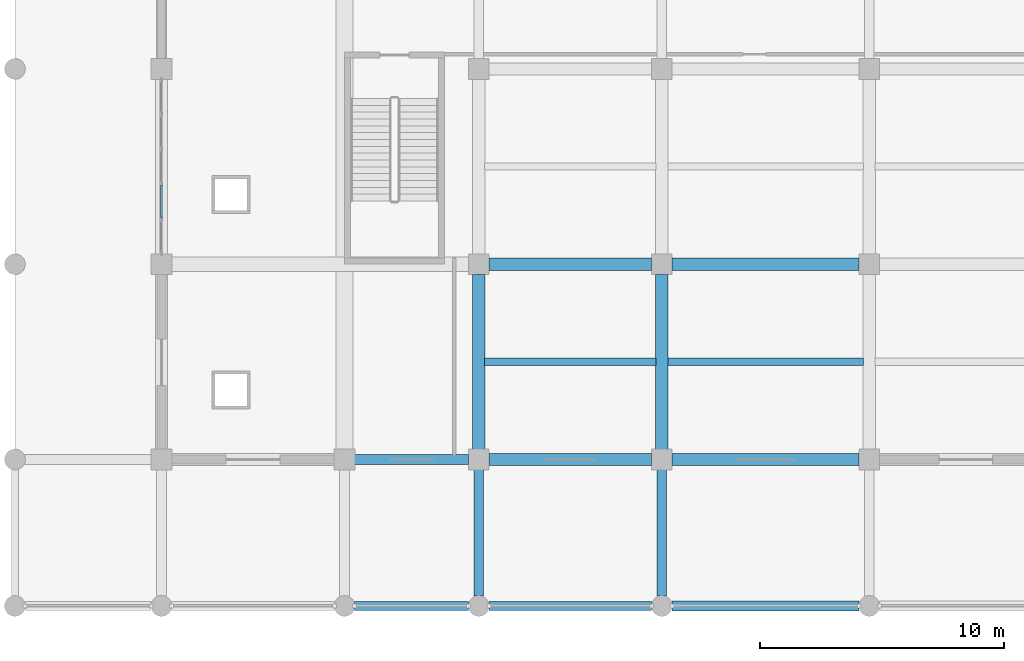
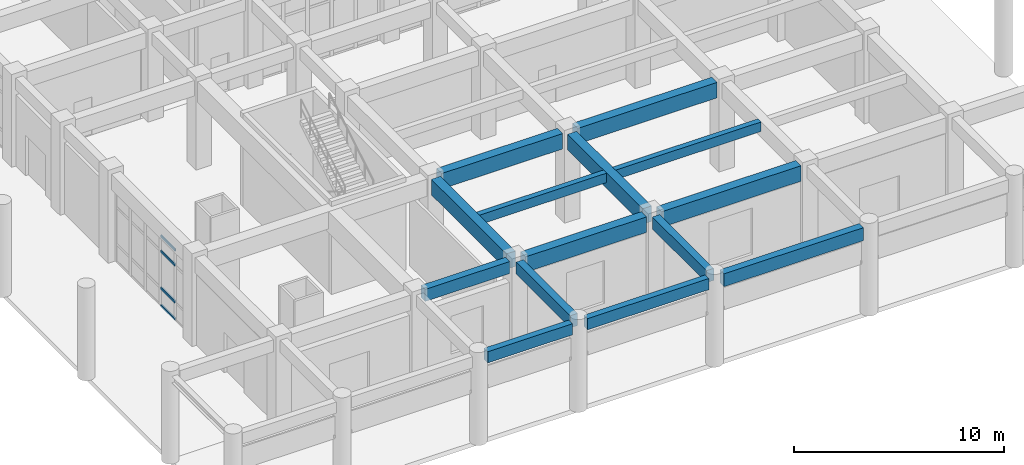
# One storey, part 4 of 84: 14 beams, 4 members, 1 element without a shape of its own.
"""IFC4 building model written with IfcOpenShell, lengths in metres."""

from ifc_helpers import new_model, si_unit, direction, frame, origin, origin_2d, place, context, subcontext, project, spatial, rectangle, hollow_rectangle, extrude, material, layer, layer_set, material_profile, profile_set, type_object, element, aggregate, save


model = new_model("IFC4")

# Units and contexts
model_context = context("Model", 3, precision=1e-05, world=origin(), true_north=direction((0.0, 1.0)))
body_context = subcontext(model_context, "Body", "Model", "MODEL_VIEW")
ifc_project = project(units=[si_unit("LENGTHUNIT", "METRE"), si_unit("AREAUNIT", "SQUARE_METRE"), si_unit("VOLUMEUNIT", "CUBIC_METRE"), si_unit("PLANEANGLEUNIT", "RADIAN"), si_unit("MASSUNIT", "GRAM", prefix="KILO")], contexts=[model_context])

# Site, building, storey
site_placement = place(None, origin())
site = spatial("IfcSite", under=ifc_project, at=site_placement, CompositionType="ELEMENT")
building_placement = place(site_placement, origin())
building = spatial("IfcBuilding", under=site, at=building_placement, Name="Muzn Square Opera House", CompositionType="ELEMENT")
storey_placement = place(building_placement, origin())
storey = spatial("IfcBuildingStorey", under=building, at=storey_placement, Name="L00", CompositionType="ELEMENT", Elevation=0.0)

# Curtain wall, members
ifc_material_1 = material(Name="Low-E laminated acoustic double glazing", Category="glass")
ifc_layer = layer(ifc_material_1, 0.159912109375, Name="Low-E laminated acoustic double glazing", Category="glass")
ifc_layer_set = layer_set([ifc_layer], Name="Low-E laminated acoustic double glazing")
curtain_wall_type = type_object("IfcCurtainWallType", Name="Glazed Curtain Wall WestBlvd 7150x4100", PredefinedType="USERDEFINED", material=ifc_layer_set)
curtain_wall_placement = place(storey_placement, origin())
curtain_wall = element("IfcCurtainWall", 1, at=curtain_wall_placement, inside=storey, type_object=curtain_wall_type, Name="Glazed Curtain Wall CW-L00-134", ObjectType="GLAZED CURTAIN WALL", PredefinedType="USERDEFINED")
ifc_material_2 = material(Name="Anodised bronze aluminium 6063-T6", Category="metal")
ifc_material_profile_1 = material_profile(ifc_material_2, hollow_rectangle(XDim=0.070068359375, YDim=0.139892578125, WallThickness=0.00390625, at=origin_2d()), Name="ALU 140x70x4", Category="metal")
ifc_profile_set_1 = profile_set([ifc_material_profile_1], Name="Anodised bronze aluminium 6063-T6")
member_type = type_object("IfcMemberType", Name="Curtain Wall Transom 140x70", PredefinedType="USERDEFINED", material=ifc_profile_set_1)
member_1_placement = place(storey_placement, frame((6.0, 15.889892578125, 0.034912109375), z_axis=(0.0, 1.0, 0.0), x_axis=(-1.0, 0.0, 0.0)))
member_1 = element("IfcMember", 2, at=member_1_placement, type_object=member_type, Name="CW-WBL-71x41 transom 2.1", ObjectType="TRANSOM", PredefinedType="USERDEFINED", context=body_context, shape_type="SweptSolid", body=[
    extrude(hollow_rectangle(XDim=0.070068359375, YDim=0.139892578125, WallThickness=0.00390625, at=origin_2d()), origin(), (0.0, 0.0, 1.0), 1.360107421875),
])
member_2_placement = place(storey_placement, frame((6.0, 15.889892578125, 1.050048828125), z_axis=(0.0, 1.0, 0.0), x_axis=(-1.0, 0.0, 0.0)))
member_2 = element("IfcMember", 3, at=member_2_placement, type_object=member_type, Name="CW-WBL-71x41 transom 2.2", ObjectType="TRANSOM", PredefinedType="USERDEFINED", context=body_context, shape_type="SweptSolid", body=[
    extrude(hollow_rectangle(XDim=0.070068359375, YDim=0.139892578125, WallThickness=0.00390625, at=origin_2d()), origin(), (0.0, 0.0, 1.0), 1.360107421875),
])
member_3_placement = place(storey_placement, frame((6.0, 15.889892578125, 3.199951171875), z_axis=(0.0, 1.0, 0.0), x_axis=(-1.0, 0.0, 0.0)))
member_3 = element("IfcMember", 4, at=member_3_placement, type_object=member_type, Name="CW-WBL-71x41 transom 2.3", ObjectType="TRANSOM", PredefinedType="USERDEFINED", context=body_context, shape_type="SweptSolid", body=[
    extrude(hollow_rectangle(XDim=0.070068359375, YDim=0.139892578125, WallThickness=0.00390625, at=origin_2d()), origin(), (0.0, 0.0, 1.0), 1.360107421875),
])
member_4_placement = place(storey_placement, frame((6.0, 15.889892578125, 4.06494140625), z_axis=(0.0, 1.0, 0.0), x_axis=(-1.0, 0.0, 0.0)))
member_4 = element("IfcMember", 5, at=member_4_placement, type_object=member_type, Name="CW-WBL-71x41 transom 2.4", ObjectType="TRANSOM", PredefinedType="USERDEFINED", context=body_context, shape_type="SweptSolid", body=[
    extrude(hollow_rectangle(XDim=0.070068359375, YDim=0.139892578125, WallThickness=0.00390625, at=origin_2d()), origin(), (0.0, 0.0, 1.0), 1.360107421875),
])
aggregate(curtain_wall, [member_1, member_2, member_3, member_4])

# Beams
ifc_material_3 = material(Name="Concrete C40/50", Category="concrete")
ifc_material_profile_2 = material_profile(ifc_material_3, rectangle(XDim=0.300048828125, YDim=0.550048828125, at=origin_2d()), Name="RCJ 300x550", Category="concrete")
ifc_profile_set_2 = profile_set([ifc_material_profile_2], Name="Concrete C40/50")
beam_type_1 = type_object("IfcBeamType", Name="Floor Joist 300x550", PredefinedType="JOIST", material=ifc_profile_set_2)
beam_1_placement = place(storey_placement, frame((19.241943359375, 10.0, 4.844970703125), z_axis=(1.0, 0.0, 0.0), x_axis=(0.0, 1.0, 0.0)))
element("IfcBeam", 6, at=beam_1_placement, inside=storey, type_object=beam_type_1, Name="Floor Joist BM-L00-BM-J550-192_100_263_100-1183", PredefinedType="JOIST", context=body_context, shape_type="SweptSolid", body=[
    extrude(rectangle(XDim=0.300048828125, YDim=0.550048828125, at=origin_2d()), origin(), (0.0, 0.0, 1.0), 7.01611328125),
])
beam_2_placement = place(storey_placement, frame((26.741943359375, 10.0, 4.844970703125), z_axis=(1.0, 0.0, 0.0), x_axis=(0.0, 1.0, 0.0)))
element("IfcBeam", 7, at=beam_2_placement, inside=storey, type_object=beam_type_1, Name="Floor Joist BM-L00-BM-J550-267_100_348_100-1191", PredefinedType="JOIST", context=body_context, shape_type="SweptSolid", body=[
    extrude(rectangle(XDim=0.300048828125, YDim=0.550048828125, at=origin_2d()), origin(), (0.0, 0.0, 1.0), 8.01611328125),
])
ifc_material_profile_3 = material_profile(ifc_material_3, rectangle(XDim=0.39990234375, YDim=0.699951171875, at=origin_2d()), Name="RCB 400x700", Category="concrete")
ifc_profile_set_3 = profile_set([ifc_material_profile_3], Name="Concrete C40/50")
beam_type_2 = type_object("IfcBeamType", Name="Primary Girder 400x700", PredefinedType="BEAM", material=ifc_profile_set_3)
beam_3_placement = place(storey_placement, frame((13.9169921875, 6.0, 4.77001953125), z_axis=(1.0, 0.0, 0.0), x_axis=(0.0, 1.0, 0.0)))
element("IfcBeam", 8, at=beam_3_placement, inside=storey, type_object=beam_type_2, Name="Primary Girder BM-L00-BM-PG700-139_60_186_60-736", PredefinedType="BEAM", context=body_context, shape_type="SweptSolid", body=[
    extrude(rectangle(XDim=0.39990234375, YDim=0.699951171875, at=origin_2d()), origin(), (0.0, 0.0, 1.0), 4.666015625),
])
for number, where, z_axis, x_axis, name in (
    (9, (19.0, 0.4169921875, 4.7900390625), (0.0, 1.0, 0.0), (-1.0, 0.0, 0.0), "Primary Girder BM-L00-BM-PG700-190_4_190_56-977"),
    (10, (26.5, 0.4169921875, 4.7900390625), (0.0, 1.0, 0.0), (-1.0, 0.0, 0.0), "Primary Girder BM-L00-BM-PG700-265_4_265_56-994"),
):
    element("IfcBeam", number, at=place(storey_placement, frame(where, z_axis=z_axis, x_axis=x_axis)), inside=storey, type_object=beam_type_2, Name=name, PredefinedType="BEAM", context=body_context, shape_type="SweptSolid", body=[
        extrude(rectangle(XDim=0.39990234375, YDim=0.699951171875, at=origin_2d()), origin(), (0.0, 0.0, 1.0), 5.166015625),
    ])
ifc_material_profile_4 = material_profile(ifc_material_3, rectangle(XDim=0.5, YDim=0.89990234375, at=origin_2d()), Name="RCB 500x900", Category="concrete")
ifc_profile_set_4 = profile_set([ifc_material_profile_4], Name="Concrete C40/50")
beam_type_3 = type_object("IfcBeamType", Name="Primary Girder 500x900", PredefinedType="BEAM", material=ifc_profile_set_4)
beam_4_placement = place(storey_placement, frame((19.4169921875, 6.0, 4.669921875), z_axis=(1.0, 0.0, 0.0), x_axis=(0.0, 1.0, 0.0)))
element("IfcBeam", 11, at=beam_4_placement, inside=storey, type_object=beam_type_3, Name="Primary Girder BM-L00-BM-PG900-194_60_261_60-737", PredefinedType="BEAM", context=body_context, shape_type="SweptSolid", body=[
    extrude(rectangle(XDim=0.5, YDim=0.89990234375, at=origin_2d()), origin(), (0.0, 0.0, 1.0), 6.666015625),
])
beam_5_placement = place(storey_placement, frame((26.9169921875, 6.0, 4.669921875), z_axis=(1.0, 0.0, 0.0), x_axis=(0.0, 1.0, 0.0)))
element("IfcBeam", 12, at=beam_5_placement, inside=storey, type_object=beam_type_3, Name="Primary Girder BM-L00-BM-PG900-269_60_346_60-738", PredefinedType="BEAM", context=body_context, shape_type="SweptSolid", body=[
    extrude(rectangle(XDim=0.5, YDim=0.89990234375, at=origin_2d()), origin(), (0.0, 0.0, 1.0), 7.666015625),
])
beam_6_placement = place(storey_placement, frame((19.4169921875, 14.0, 4.669921875), z_axis=(1.0, 0.0, 0.0), x_axis=(0.0, 1.0, 0.0)))
element("IfcBeam", 13, at=beam_6_placement, inside=storey, type_object=beam_type_3, Name="Primary Girder BM-L00-BM-PG900-194_140_261_140-749", PredefinedType="BEAM", context=body_context, shape_type="SweptSolid", body=[
    extrude(rectangle(XDim=0.5, YDim=0.89990234375, at=origin_2d()), origin(), (0.0, 0.0, 1.0), 6.666015625),
])
beam_7_placement = place(storey_placement, frame((26.9169921875, 14.0, 4.669921875), z_axis=(1.0, 0.0, 0.0), x_axis=(0.0, 1.0, 0.0)))
element("IfcBeam", 14, at=beam_7_placement, inside=storey, type_object=beam_type_3, Name="Primary Girder BM-L00-BM-PG900-269_140_346_140-750", PredefinedType="BEAM", context=body_context, shape_type="SweptSolid", body=[
    extrude(rectangle(XDim=0.5, YDim=0.89990234375, at=origin_2d()), origin(), (0.0, 0.0, 1.0), 7.666015625),
])
for number, where, z_axis, x_axis, name in (
    (15, (19.0, 6.4169921875, 4.669921875), (0.0, 1.0, 0.0), (-1.0, 0.0, 0.0), "Primary Girder BM-L00-BM-PG900-190_64_190_136-978"),
    (16, (26.5, 6.4169921875, 4.669921875), (0.0, 1.0, 0.0), (-1.0, 0.0, 0.0), "Primary Girder BM-L00-BM-PG900-265_64_265_136-995"),
):
    element("IfcBeam", number, at=place(storey_placement, frame(where, z_axis=z_axis, x_axis=x_axis)), inside=storey, type_object=beam_type_3, Name=name, PredefinedType="BEAM", context=body_context, shape_type="SweptSolid", body=[
        extrude(rectangle(XDim=0.5, YDim=0.89990234375, at=origin_2d()), origin(), (0.0, 0.0, 1.0), 7.166015625),
    ])
ifc_material_profile_5 = material_profile(ifc_material_3, rectangle(XDim=0.35009765625, YDim=0.64990234375, at=origin_2d()), Name="RCS 350x650", Category="concrete")
ifc_profile_set_5 = profile_set([ifc_material_profile_5], Name="Concrete C40/50")
beam_type_4 = type_object("IfcBeamType", Name="Spandrel Beam 350x650", PredefinedType="SPANDREL", material=ifc_profile_set_5)
beam_8_placement = place(storey_placement, frame((13.9169921875, 0.0, 4.794921875), z_axis=(1.0, 0.0, 0.0), x_axis=(0.0, 1.0, 0.0)))
element("IfcBeam", 17, at=beam_8_placement, inside=storey, type_object=beam_type_4, Name="Spandrel Beam BM-L00-BM-SP650-139_0_186_0-722", PredefinedType="SPANDREL", context=body_context, shape_type="SweptSolid", body=[
    extrude(rectangle(XDim=0.35009765625, YDim=0.64990234375, at=origin_2d()), origin(), (0.0, 0.0, 1.0), 4.666015625),
])
beam_9_placement = place(storey_placement, frame((19.4169921875, 0.0, 4.794921875), z_axis=(1.0, 0.0, 0.0), x_axis=(0.0, 1.0, 0.0)))
element("IfcBeam", 18, at=beam_9_placement, inside=storey, type_object=beam_type_4, Name="Spandrel Beam BM-L00-BM-SP650-194_0_261_0-723", PredefinedType="SPANDREL", context=body_context, shape_type="SweptSolid", body=[
    extrude(rectangle(XDim=0.35009765625, YDim=0.64990234375, at=origin_2d()), origin(), (0.0, 0.0, 1.0), 6.666015625),
])
ifc_material_profile_6 = material_profile(ifc_material_3, rectangle(XDim=0.39990234375, YDim=0.75, at=origin_2d()), Name="RCS 400x750", Category="concrete")
ifc_profile_set_6 = profile_set([ifc_material_profile_6], Name="Concrete C40/50")
beam_type_5 = type_object("IfcBeamType", Name="Spandrel Beam 400x750", PredefinedType="SPANDREL", material=ifc_profile_set_6)
beam_10_placement = place(storey_placement, frame((26.9169921875, 0.0, 4.7451171875), z_axis=(1.0, 0.0, 0.0), x_axis=(0.0, 1.0, 0.0)))
element("IfcBeam", 19, at=beam_10_placement, inside=storey, type_object=beam_type_5, Name="Spandrel Beam BM-L00-BM-SP750-269_0_346_0-724", PredefinedType="SPANDREL", context=body_context, shape_type="SweptSolid", body=[
    extrude(rectangle(XDim=0.39990234375, YDim=0.75, at=origin_2d()), origin(), (0.0, 0.0, 1.0), 7.666015625),
])

save(model, "model.ifc")
